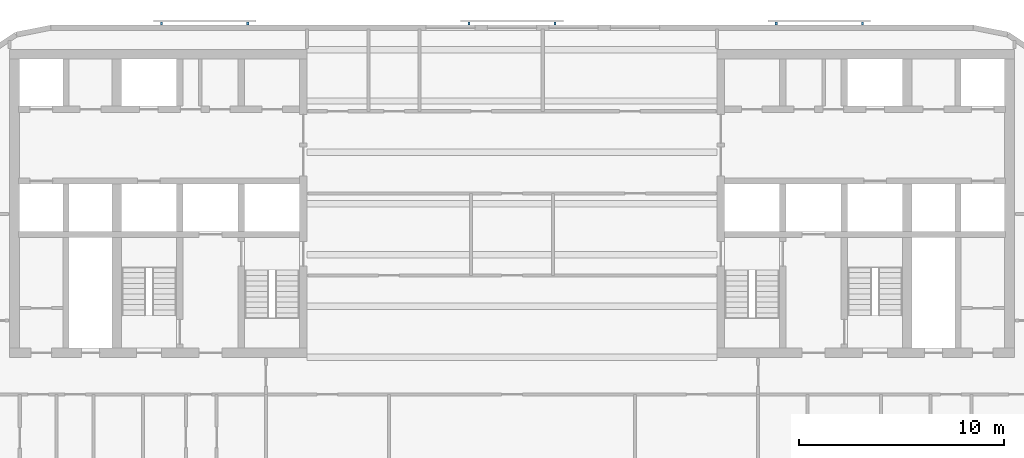
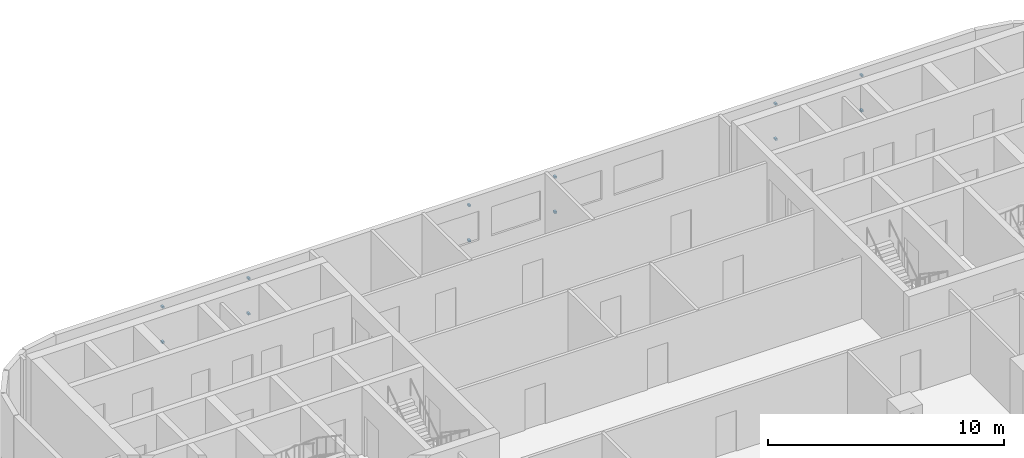
# One storey, part 8 of 11: 12 discrete accessories.
"""IFC4 building model written with IfcOpenShell, lengths in metres."""

from ifc_helpers import new_model, si_unit, direction, frame, origin, origin_2d, place, context, subcontext, project, spatial, rectangle, extrude, material, type_object, element, save


model = new_model("IFC4")

# Units and contexts
model_context = context("Model", 3, precision=1e-05, world=origin(), true_north=direction((0.0, 1.0)))
body_context = subcontext(model_context, "Body", "Model", "MODEL_VIEW")
ifc_project = project(units=[si_unit("LENGTHUNIT", "METRE"), si_unit("AREAUNIT", "SQUARE_METRE"), si_unit("VOLUMEUNIT", "CUBIC_METRE"), si_unit("PLANEANGLEUNIT", "RADIAN"), si_unit("MASSUNIT", "GRAM", prefix="KILO")], contexts=[model_context])

# Site, building, storey
site_placement = place(None, origin())
site = spatial("IfcSite", under=ifc_project, at=site_placement, CompositionType="ELEMENT")
building_placement = place(site_placement, origin())
building = spatial("IfcBuilding", under=site, at=building_placement, Name="Torana Hotel and Residences", CompositionType="ELEMENT")
storey_placement = place(building_placement, frame((0.0, 0.0, 218.60009765625)))
storey = spatial("IfcBuildingStorey", under=building, at=storey_placement, Name="L57", CompositionType="ELEMENT", Elevation=218.60009765625)

# Discrete accessories
ifc_material = material(Name="Steel S355", Category="steel")
discrete_accessory_type = type_object("IfcDiscreteAccessoryType", Name="SCREEN BRACKET 100", PredefinedType="BRACKET", material=ifc_material)
for number, where, z_axis, x_axis, name in (
    (1, (17.08349609375, 1.27490234375, 0.749755859375), (0.0, 0.0, 1.0), (-1.0, 0.0, 0.0), "Screen bracket L57"),
    (2, (17.08349609375, 1.27490234375, 2.56982421875), (0.0, 0.0, 1.0), (-1.0, 0.0, 0.0), "Screen bracket L57"),
    (3, (12.883544921875, 1.27490234375, 0.749755859375), (0.0, 0.0, 1.0), (-1.0, 0.0, 0.0), "Screen bracket L57"),
    (4, (12.883544921875, 1.27490234375, 2.56982421875), (0.0, 0.0, 1.0), (-1.0, 0.0, 0.0), "Screen bracket L57"),
    (5, (2.10009765625, 1.27490234375, 0.749755859375), (0.0, 0.0, 1.0), (-1.0, 0.0, 0.0), "Screen bracket L57"),
    (6, (2.10009765625, 1.27490234375, 2.56982421875), (0.0, 0.0, 1.0), (-1.0, 0.0, 0.0), "Screen bracket L57"),
    (7, (-2.10009765625, 1.27490234375, 0.749755859375), (0.0, 0.0, 1.0), (-1.0, 0.0, 0.0), "Screen bracket L57"),
    (8, (-2.10009765625, 1.27490234375, 2.56982421875), (0.0, 0.0, 1.0), (-1.0, 0.0, 0.0), "Screen bracket L57"),
    (9, (-12.883544921875, 1.27490234375, 0.749755859375), (0.0, 0.0, 1.0), (-1.0, 0.0, 0.0), "Screen bracket L57"),
    (10, (-12.883544921875, 1.27490234375, 2.56982421875), (0.0, 0.0, 1.0), (-1.0, 0.0, 0.0), "Screen bracket L57"),
    (11, (-17.08349609375, 1.27490234375, 0.749755859375), (0.0, 0.0, 1.0), (-1.0, 0.0, 0.0), "Screen bracket L57"),
    (12, (-17.08349609375, 1.27490234375, 2.56982421875), (0.0, 0.0, 1.0), (-1.0, 0.0, 0.0), "Screen bracket L57"),
):
    element("IfcDiscreteAccessory", number, at=place(storey_placement, frame(where, z_axis=z_axis, x_axis=x_axis)), inside=storey, type_object=discrete_accessory_type, Name=name, PredefinedType="BRACKET", context=body_context, shape_type="SweptSolid", body=[
        extrude(rectangle(XDim=0.10009765625, YDim=0.14990234375, at=origin_2d()), origin(), (0.0, 0.0, 1.0), 0.10009765625),
    ])

save(model, "model.ifc")
